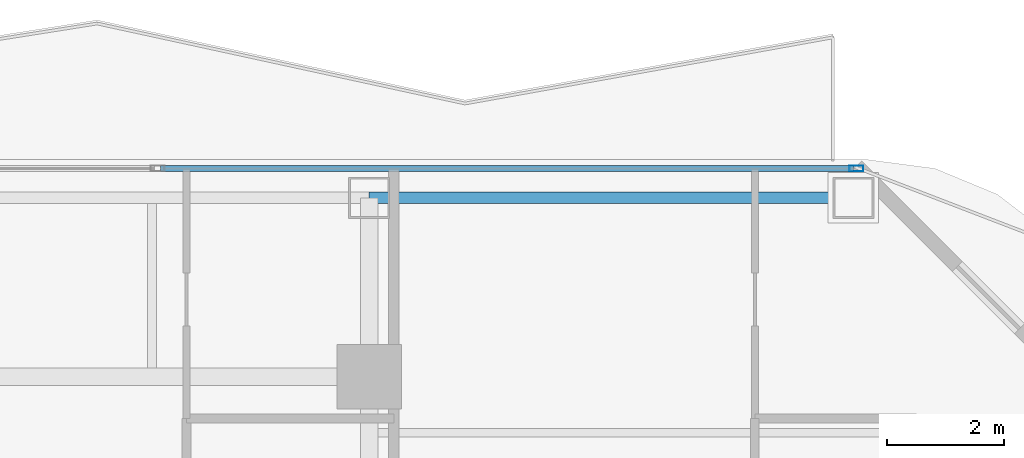
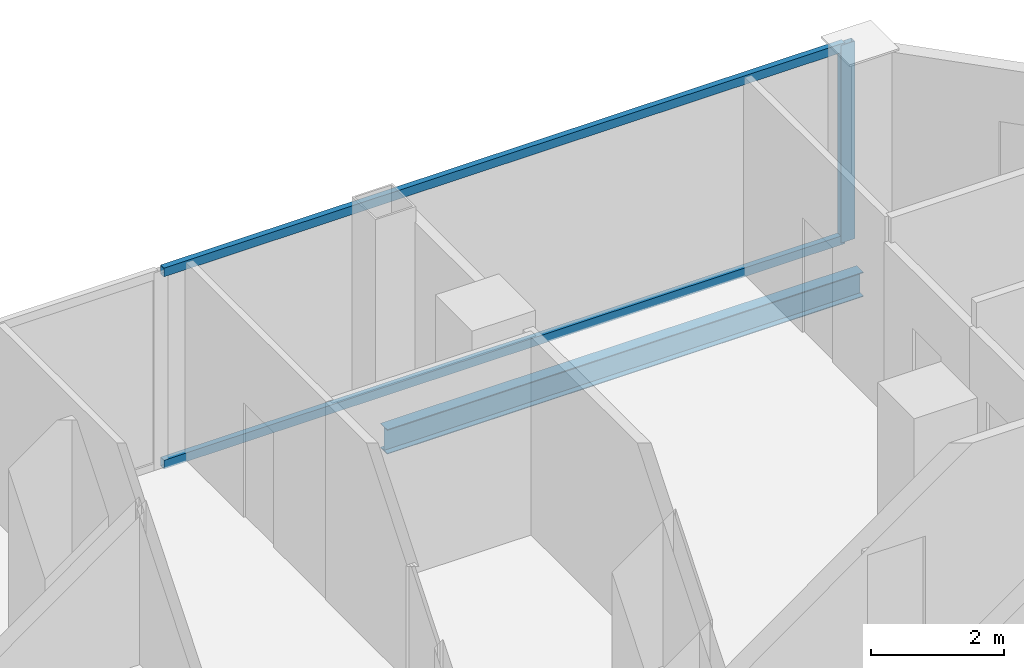
# One storey, part 18 of 27: 3 members, 1 beam, 1 element without a shape of its own.
"""IFC4 building model written with IfcOpenShell, lengths in metres."""

from ifc_helpers import new_model, si_unit, direction, frame, origin, origin_2d, place, context, subcontext, project, spatial, hollow_rectangle, i_section, extrude, material, layer, layer_set, material_profile, profile_set, type_object, element, aggregate, save


model = new_model("IFC4")

# Units and contexts
model_context = context("Model", 3, precision=1e-05, world=origin(), true_north=direction((0.0, 1.0)))
body_context = subcontext(model_context, "Body", "Model", "MODEL_VIEW")
ifc_project = project(units=[si_unit("LENGTHUNIT", "METRE"), si_unit("AREAUNIT", "SQUARE_METRE"), si_unit("VOLUMEUNIT", "CUBIC_METRE"), si_unit("PLANEANGLEUNIT", "RADIAN"), si_unit("MASSUNIT", "GRAM", prefix="KILO")], contexts=[model_context])

# Site, building, storey
site_placement = place(None, origin())
site = spatial("IfcSite", under=ifc_project, at=site_placement, CompositionType="ELEMENT")
building_placement = place(site_placement, origin())
building = spatial("IfcBuilding", under=site, at=building_placement, Name="Khorvyn Point Tower", CompositionType="ELEMENT")
storey_placement = place(building_placement, frame((0.0, 0.0, 164.10009765625)))
storey = spatial("IfcBuildingStorey", under=building, at=storey_placement, Name="L40", CompositionType="ELEMENT", Elevation=164.10009765625)

# Curtain wall, members
ifc_material_1 = material(Name="Anodised aluminium 6063-T6 and laminated Low-E glass", Category="aluminium")
ifc_layer = layer(ifc_material_1, 0.18994140625)
ifc_layer_set = layer_set([ifc_layer], Name="Stick-Built Acoustic Curtain Wall CW-SYS-03")
curtain_wall_type = type_object("IfcCurtainWallType", Name="Stick-Built Acoustic Curtain Wall CW-SYS-03", PredefinedType="NOTDEFINED", material=ifc_layer_set)
curtain_wall_placement = place(storey_placement, origin())
curtain_wall = element("IfcCurtainWall", 1, at=curtain_wall_placement, inside=storey, type_object=curtain_wall_type, Name="Curtain Wall", PredefinedType="NOTDEFINED")
ifc_material_2 = material(Name="Anodised aluminium 6063-T6", Category="aluminium")
ifc_material_profile_1 = material_profile(ifc_material_2, hollow_rectangle(XDim=0.10009765625, YDim=0.239990234375, WallThickness=0.0048828125, at=origin_2d()))
ifc_profile_set_1 = profile_set([ifc_material_profile_1], Name="Anodised aluminium 6063-T6 ALU-MUL-100x240")
member_type_1 = type_object("IfcMemberType", Name="Anodised Aluminium 6063-T6 Mullion ALU-MUL-100x240", PredefinedType="MULLION", material=ifc_profile_set_1)
member_1_placement = place(storey_placement, frame((23.10009765625, 23.64990234375, 0.0), z_axis=(0.0, 0.0, 1.0), x_axis=(0.0, 1.0, 0.0)))
member_1 = element("IfcMember", 2, at=member_1_placement, type_object=member_type_1, Name="Transom", PredefinedType="MULLION", context=body_context, shape_type="SweptSolid", body=[
    extrude(hollow_rectangle(XDim=0.10009765625, YDim=0.239990234375, WallThickness=0.0048828125, at=origin_2d()), origin(), (0.0, 0.0, 1.0), 3.619873046875),
])
ifc_material_profile_2 = material_profile(ifc_material_2, hollow_rectangle(XDim=0.10009765625, YDim=0.159912109375, WallThickness=0.00439453125, at=origin_2d()))
ifc_profile_set_2 = profile_set([ifc_material_profile_2], Name="Anodised aluminium 6063-T6 ALU-TRN-100x160")
member_type_2 = type_object("IfcMemberType", Name="Anodised Aluminium 6063-T6 Transom ALU-TRN-100x160", PredefinedType="USERDEFINED", material=ifc_profile_set_2)
member_2_placement = place(storey_placement, frame((11.2470703125, 23.64990234375, 0.0498046875), z_axis=(1.0, 0.0, 0.0), x_axis=(0.0, 1.0, 0.0)))
member_2 = element("IfcMember", 3, at=member_2_placement, type_object=member_type_2, Name="Transom", ObjectType="TRANSOM", PredefinedType="USERDEFINED", context=body_context, shape_type="SweptSolid", body=[
    extrude(hollow_rectangle(XDim=0.10009765625, YDim=0.159912109375, WallThickness=0.00439453125, at=origin_2d()), origin(), (0.0, 0.0, 1.0), 11.802978515625),
])
member_3_placement = place(storey_placement, frame((11.2470703125, 23.64990234375, 3.56982421875), z_axis=(1.0, 0.0, 0.0), x_axis=(0.0, 1.0, 0.0)))
member_3 = element("IfcMember", 4, at=member_3_placement, type_object=member_type_2, Name="Transom", ObjectType="TRANSOM", PredefinedType="USERDEFINED", context=body_context, shape_type="SweptSolid", body=[
    extrude(hollow_rectangle(XDim=0.10009765625, YDim=0.159912109375, WallThickness=0.00439453125, at=origin_2d()), origin(), (0.0, 0.0, 1.0), 11.802978515625),
])
aggregate(curtain_wall, [member_1, member_2, member_3])

# Beam
ifc_material_3 = material(Name="Steel S355", Category="steel")
ifc_material_profile_3 = material_profile(ifc_material_3, i_section(OverallWidth=0.199951171875, OverallDepth=0.449951171875, WebThickness=0.009033203125, FlangeThickness=0.013916015625, at=origin_2d()))
ifc_profile_set_3 = profile_set([ifc_material_profile_3], Name="Steel S355 H450x200x9x14")
beam_type = type_object("IfcBeamType", Name="Steel S355 Spandrel H450x200x9x14", PredefinedType="SPANDREL", material=ifc_profile_set_3)
beam_placement = place(storey_placement, frame((14.800048828125, 23.14990234375, -0.445068359375), z_axis=(1.0, 0.0, 0.0), x_axis=(0.0, 1.0, 0.0)))
element("IfcBeam", 5, at=beam_placement, inside=storey, type_object=beam_type, Name="Beam", PredefinedType="SPANDREL", context=body_context, shape_type="SweptSolid", body=[
    extrude(i_section(OverallWidth=0.199951171875, OverallDepth=0.449951171875, WebThickness=0.009033203125, FlangeThickness=0.013916015625, at=origin_2d()), origin(), (0.0, 0.0, 1.0), 8.25),
])

save(model, "model.ifc")
